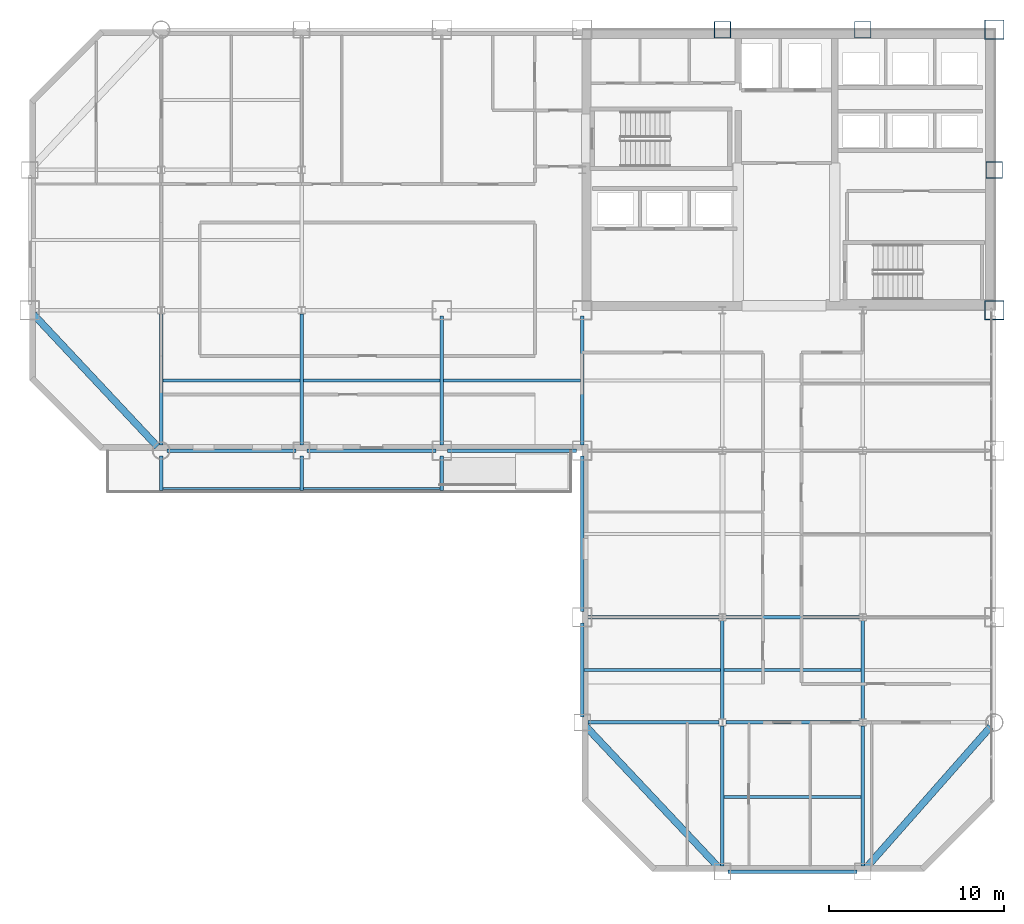
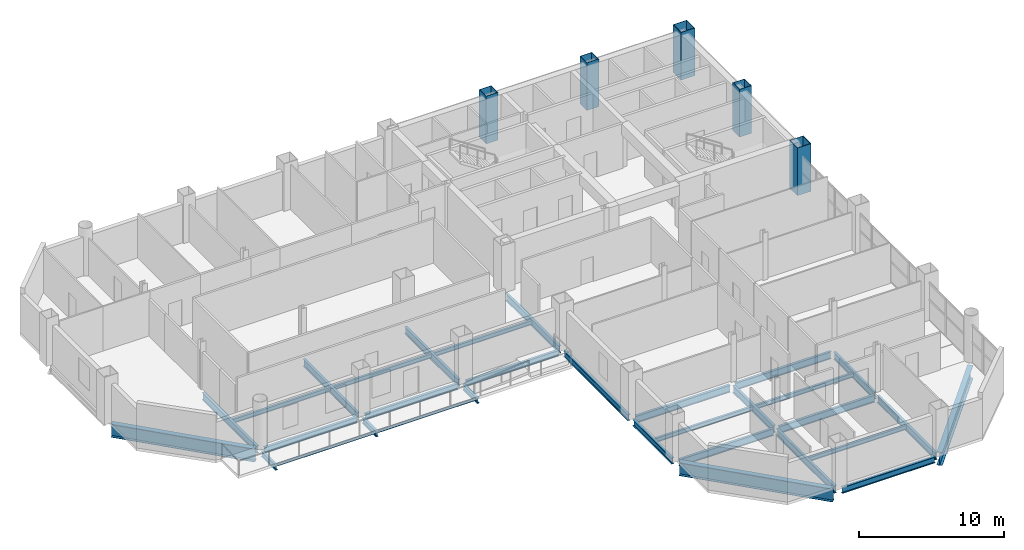
# One storey, part 4 of 16: 32 beams, 5 columns.
"""IFC4 building model written with IfcOpenShell, lengths in metres."""

from ifc_helpers import new_model, si_unit, direction, frame, origin, origin_2d, place, context, subcontext, project, spatial, hollow_rectangle, i_section, extrude, material, material_profile, profile_set, type_object, element, save


model = new_model("IFC4")

# Units and contexts
model_context = context("Model", 3, precision=1e-05, world=origin(), true_north=direction((0.0, 1.0)))
body_context = subcontext(model_context, "Body", "Model", "MODEL_VIEW")
ifc_project = project(units=[si_unit("LENGTHUNIT", "METRE"), si_unit("AREAUNIT", "SQUARE_METRE"), si_unit("VOLUMEUNIT", "CUBIC_METRE"), si_unit("PLANEANGLEUNIT", "RADIAN"), si_unit("MASSUNIT", "GRAM", prefix="KILO")], contexts=[model_context])

# Site, building, storey
site_placement = place(None, origin())
site = spatial("IfcSite", under=ifc_project, at=site_placement, CompositionType="ELEMENT")
building_placement = place(site_placement, origin())
building = spatial("IfcBuilding", under=site, at=building_placement, Name="Qianrong Seaharbour Tower", CompositionType="ELEMENT")
storey_placement = place(building_placement, frame((0.0, 0.0, 123.0)))
storey = spatial("IfcBuildingStorey", under=building, at=storey_placement, Name="L29", CompositionType="ELEMENT", Elevation=123.0)

# Columns
ifc_material_1 = material(Name="Structural steel SN490B", Category="steel")
ifc_material_profile_1 = material_profile(ifc_material_1, hollow_rectangle(XDim=1.10009765625, YDim=1.10009765625, WallThickness=0.0400390625, at=origin_2d()), Name="BOX1100x1100x40")
ifc_profile_set_1 = profile_set([ifc_material_profile_1], Name="Structural steel SN490B")
column_type_1 = type_object("IfcColumnType", Name="COL-CFT-1100", PredefinedType="COLUMN", material=ifc_profile_set_1)
for number, where, z_axis, x_axis, name in (
    (1, (64.0, 36.0, 0.0), (0.0, 0.0, 1.0), (1.0, 0.0, 0.0), "L29 Column MC-3 at G9/GF"),
    (2, (64.0, 52.0, 0.0), (0.0, 0.0, 1.0), (1.0, 0.0, 0.0), "L29 Column MC-3 at G9/GH"),
):
    element("IfcColumn", number, at=place(storey_placement, frame(where, z_axis=z_axis, x_axis=x_axis)), inside=storey, type_object=column_type_1, Name=name, PredefinedType="COLUMN", context=body_context, shape_type="SweptSolid", body=[
        extrude(hollow_rectangle(XDim=1.10009765625, YDim=1.10009765625, WallThickness=0.0400390625, at=origin_2d()), origin(), (0.0, 0.0, 1.0), 4.0),
    ])
ifc_material_profile_2 = material_profile(ifc_material_1, hollow_rectangle(XDim=0.949951171875, YDim=0.949951171875, WallThickness=0.035888671875, at=origin_2d()), Name="BOX950x950x36")
ifc_profile_set_2 = profile_set([ifc_material_profile_2], Name="Structural steel SN490B")
column_type_2 = type_object("IfcColumnType", Name="COL-PER-950", PredefinedType="COLUMN", material=ifc_profile_set_2)
for number, where, z_axis, x_axis, name in (
    (3, (48.5, 52.0, 0.0), (0.0, 0.0, 1.0), (1.0, 0.0, 0.0), "L29 Column PC-2 at G7/GH"),
    (4, (56.5, 52.0, 0.0), (0.0, 0.0, 1.0), (1.0, 0.0, 0.0), "L29 Column PC-2 at G8/GH"),
    (5, (64.0, 44.0, 0.0), (0.0, 0.0, 1.0), (1.0, 0.0, 0.0), "L29 Column PC-2 at G9/GG"),
):
    element("IfcColumn", number, at=place(storey_placement, frame(where, z_axis=z_axis, x_axis=x_axis)), inside=storey, type_object=column_type_2, Name=name, PredefinedType="COLUMN", context=body_context, shape_type="SweptSolid", body=[
        extrude(hollow_rectangle(XDim=0.949951171875, YDim=0.949951171875, WallThickness=0.035888671875, at=origin_2d()), origin(), (0.0, 0.0, 1.0), 4.0),
    ])

# Beams
ifc_material_profile_3 = material_profile(ifc_material_1, i_section(OverallWidth=0.199951171875, OverallDepth=0.60009765625, WebThickness=0.010986328125, FlangeThickness=0.01708984375, FilletRadius=0.02197265625, at=origin_2d()), Name="H600x200x11x17")
ifc_profile_set_3 = profile_set([ifc_material_profile_3], Name="Structural steel SN490B")
beam_type_1 = type_object("IfcBeamType", Name="BM-G-600", PredefinedType="BEAM", material=ifc_profile_set_3)
beam_1_placement = place(storey_placement, frame((40.820068359375, 12.5, -0.534912109375), z_axis=(1.0, 0.0, 0.0), x_axis=(0.0, 1.0, 0.0)))
element("IfcBeam", 6, at=beam_1_placement, inside=storey, type_object=beam_type_1, Name="L29 Primary Girder GC G6-G7", PredefinedType="BEAM", context=body_context, shape_type="SweptSolid", body=[
    extrude(i_section(OverallWidth=0.199951171875, OverallDepth=0.60009765625, WebThickness=0.010986328125, FlangeThickness=0.01708984375, FilletRadius=0.02197265625, at=origin_2d()), origin(), (0.0, 0.0, 1.0), 7.47998046875),
])
beam_2_placement = place(storey_placement, frame((48.699951171875, 12.5, -0.534912109375), z_axis=(1.0, 0.0, 0.0), x_axis=(0.0, 1.0, 0.0)))
element("IfcBeam", 7, at=beam_2_placement, inside=storey, type_object=beam_type_1, Name="L29 Primary Girder GC G7-G8", PredefinedType="BEAM", context=body_context, shape_type="SweptSolid", body=[
    extrude(i_section(OverallWidth=0.199951171875, OverallDepth=0.60009765625, WebThickness=0.010986328125, FlangeThickness=0.01708984375, FilletRadius=0.02197265625, at=origin_2d()), origin(), (0.0, 0.0, 1.0), 7.60009765625),
])
beam_3_placement = place(storey_placement, frame((40.820068359375, 18.5, -0.534912109375), z_axis=(1.0, 0.0, 0.0), x_axis=(0.0, 1.0, 0.0)))
element("IfcBeam", 8, at=beam_3_placement, inside=storey, type_object=beam_type_1, Name="L29 Primary Girder GD G6-G7", PredefinedType="BEAM", context=body_context, shape_type="SweptSolid", body=[
    extrude(i_section(OverallWidth=0.199951171875, OverallDepth=0.60009765625, WebThickness=0.010986328125, FlangeThickness=0.01708984375, FilletRadius=0.02197265625, at=origin_2d()), origin(), (0.0, 0.0, 1.0), 7.47998046875),
])
beam_4_placement = place(storey_placement, frame((48.699951171875, 18.5, -0.534912109375), z_axis=(1.0, 0.0, 0.0), x_axis=(0.0, 1.0, 0.0)))
element("IfcBeam", 9, at=beam_4_placement, inside=storey, type_object=beam_type_1, Name="L29 Primary Girder GD G7-G8", PredefinedType="BEAM", context=body_context, shape_type="SweptSolid", body=[
    extrude(i_section(OverallWidth=0.199951171875, OverallDepth=0.60009765625, WebThickness=0.010986328125, FlangeThickness=0.01708984375, FilletRadius=0.02197265625, at=origin_2d()), origin(), (0.0, 0.0, 1.0), 7.60009765625),
])
for number, where, z_axis, x_axis, name in (
    (10, (16.5, 28.320068359375, -0.534912109375), (0.0, 1.0, 0.0), (-1.0, 0.0, 0.0), "L29 Primary Girder G3 GE-GF"),
    (11, (24.5, 28.320068359375, -0.534912109375), (0.0, 1.0, 0.0), (-1.0, 0.0, 0.0), "L29 Primary Girder G4 GE-GF"),
):
    element("IfcBeam", number, at=place(storey_placement, frame(where, z_axis=z_axis, x_axis=x_axis)), inside=storey, type_object=beam_type_1, Name=name, PredefinedType="BEAM", context=body_context, shape_type="SweptSolid", body=[
        extrude(i_section(OverallWidth=0.199951171875, OverallDepth=0.60009765625, WebThickness=0.010986328125, FlangeThickness=0.01708984375, FilletRadius=0.02197265625, at=origin_2d()), origin(), (0.0, 0.0, 1.0), 7.47998046875),
    ])
for number, where, z_axis, x_axis, name in (
    (12, (32.5, 28.320068359375, -0.534912109375), (0.0, 1.0, 0.0), (-1.0, 0.0, 0.0), "L29 Primary Girder G5 GE-GF"),
    (13, (40.5, 28.320068359375, -0.534912109375), (0.0, 1.0, 0.0), (-1.0, 0.0, 0.0), "L29 Primary Girder G6 GE-GF"),
):
    element("IfcBeam", number, at=place(storey_placement, frame(where, z_axis=z_axis, x_axis=x_axis)), inside=storey, type_object=beam_type_1, Name=name, PredefinedType="BEAM", context=body_context, shape_type="SweptSolid", body=[
        extrude(i_section(OverallWidth=0.199951171875, OverallDepth=0.60009765625, WebThickness=0.010986328125, FlangeThickness=0.01708984375, FilletRadius=0.02197265625, at=origin_2d()), origin(), (0.0, 0.0, 1.0), 7.35986328125),
    ])
beam_5_placement = place(storey_placement, frame((48.5, 4.320068359375, -0.534912109375), z_axis=(0.0, 1.0, 0.0), x_axis=(-1.0, 0.0, 0.0)))
element("IfcBeam", 14, at=beam_5_placement, inside=storey, type_object=beam_type_1, Name="L29 Primary Girder G7 GB-GC", PredefinedType="BEAM", context=body_context, shape_type="SweptSolid", body=[
    extrude(i_section(OverallWidth=0.199951171875, OverallDepth=0.60009765625, WebThickness=0.010986328125, FlangeThickness=0.01708984375, FilletRadius=0.02197265625, at=origin_2d()), origin(), (0.0, 0.0, 1.0), 7.97998046875),
])
beam_6_placement = place(storey_placement, frame((48.5, 12.699951171875, -0.534912109375), z_axis=(0.0, 1.0, 0.0), x_axis=(-1.0, 0.0, 0.0)))
element("IfcBeam", 15, at=beam_6_placement, inside=storey, type_object=beam_type_1, Name="L29 Primary Girder G7 GC-GD", PredefinedType="BEAM", context=body_context, shape_type="SweptSolid", body=[
    extrude(i_section(OverallWidth=0.199951171875, OverallDepth=0.60009765625, WebThickness=0.010986328125, FlangeThickness=0.01708984375, FilletRadius=0.02197265625, at=origin_2d()), origin(), (0.0, 0.0, 1.0), 5.60009765625),
])
beam_7_placement = place(storey_placement, frame((56.5, 4.320068359375, -0.534912109375), z_axis=(0.0, 1.0, 0.0), x_axis=(-1.0, 0.0, 0.0)))
element("IfcBeam", 16, at=beam_7_placement, inside=storey, type_object=beam_type_1, Name="L29 Primary Girder G8 GB-GC", PredefinedType="BEAM", context=body_context, shape_type="SweptSolid", body=[
    extrude(i_section(OverallWidth=0.199951171875, OverallDepth=0.60009765625, WebThickness=0.010986328125, FlangeThickness=0.01708984375, FilletRadius=0.02197265625, at=origin_2d()), origin(), (0.0, 0.0, 1.0), 7.97998046875),
])
beam_8_placement = place(storey_placement, frame((56.5, 12.699951171875, -0.534912109375), z_axis=(0.0, 1.0, 0.0), x_axis=(-1.0, 0.0, 0.0)))
element("IfcBeam", 17, at=beam_8_placement, inside=storey, type_object=beam_type_1, Name="L29 Primary Girder G8 GC-GD", PredefinedType="BEAM", context=body_context, shape_type="SweptSolid", body=[
    extrude(i_section(OverallWidth=0.199951171875, OverallDepth=0.60009765625, WebThickness=0.010986328125, FlangeThickness=0.01708984375, FilletRadius=0.02197265625, at=origin_2d()), origin(), (0.0, 0.0, 1.0), 5.60009765625),
])
ifc_material_2 = material(Name="Structural steel SN400B", Category="steel")
ifc_material_profile_4 = material_profile(ifc_material_2, i_section(OverallWidth=0.175048828125, OverallDepth=0.35009765625, WebThickness=0.007080078125, FlangeThickness=0.010986328125, FilletRadius=0.013916015625, at=origin_2d()), Name="H350x175x7x11")
ifc_profile_set_4 = profile_set([ifc_material_profile_4], Name="Structural steel SN400B")
beam_type_2 = type_object("IfcBeamType", Name="BM-J-350", PredefinedType="JOIST", material=ifc_profile_set_4)
for number, where, z_axis, x_axis, name in (
    (18, (16.60009765625, 32.0, -0.409912109375), (1.0, 0.0, 0.0), (0.0, 1.0, 0.0), "L29 Composite Floor Joist G3-G4/GE-GF"),
    (19, (24.60009765625, 32.0, -0.409912109375), (1.0, 0.0, 0.0), (0.0, 1.0, 0.0), "L29 Composite Floor Joist G4-G5/GE-GF"),
    (20, (32.60009765625, 32.0, -0.409912109375), (1.0, 0.0, 0.0), (0.0, 1.0, 0.0), "L29 Composite Floor Joist G5-G6/GE-GF"),
    (21, (40.60009765625, 15.5, -0.409912109375), (1.0, 0.0, 0.0), (0.0, 1.0, 0.0), "L29 Composite Floor Joist G6-G7/GC-GD"),
    (22, (48.60009765625, 8.25, -0.409912109375), (1.0, 0.0, 0.0), (0.0, 1.0, 0.0), "L29 Composite Floor Joist G7-G8/GB-GC"),
    (23, (48.60009765625, 15.5, -0.409912109375), (1.0, 0.0, 0.0), (0.0, 1.0, 0.0), "L29 Composite Floor Joist G7-G8/GC-GD"),
):
    element("IfcBeam", number, at=place(storey_placement, frame(where, z_axis=z_axis, x_axis=x_axis)), inside=storey, type_object=beam_type_2, Name=name, PredefinedType="JOIST", context=body_context, shape_type="SweptSolid", body=[
        extrude(i_section(OverallWidth=0.175048828125, OverallDepth=0.35009765625, WebThickness=0.007080078125, FlangeThickness=0.010986328125, FilletRadius=0.013916015625, at=origin_2d()), origin(), (0.0, 0.0, 1.0), 7.7998046875),
    ])
ifc_material_profile_5 = material_profile(ifc_material_2, i_section(OverallWidth=0.10009765625, OverallDepth=0.199951171875, WebThickness=0.005615234375, FlangeThickness=0.008056640625, FilletRadius=0.010986328125, at=origin_2d()), Name="H200x100x5.5x8")
ifc_profile_set_5 = profile_set([ifc_material_profile_5], Name="Structural steel SN400B")
beam_type_3 = type_object("IfcBeamType", Name="BM-PURLIN-200", PredefinedType="JOIST", material=ifc_profile_set_5)
for number, where, z_axis, x_axis, name in (
    (24, (16.60009765625, 25.840087890625, -0.3349609375), (1.0, 0.0, 0.0), (0.0, 1.0, 0.0), "L29 Harbourfront Ribbon Edge Beam G4"),
    (25, (24.60009765625, 25.840087890625, -0.3349609375), (1.0, 0.0, 0.0), (0.0, 1.0, 0.0), "L29 Harbourfront Ribbon Edge Beam G5"),
):
    element("IfcBeam", number, at=place(storey_placement, frame(where, z_axis=z_axis, x_axis=x_axis)), inside=storey, type_object=beam_type_3, Name=name, PredefinedType="JOIST", context=body_context, shape_type="SweptSolid", body=[
        extrude(i_section(OverallWidth=0.10009765625, OverallDepth=0.199951171875, WebThickness=0.005615234375, FlangeThickness=0.008056640625, FilletRadius=0.010986328125, at=origin_2d()), origin(), (0.0, 0.0, 1.0), 7.7998046875),
    ])
ifc_material_profile_6 = material_profile(ifc_material_1, i_section(OverallWidth=0.199951171875, OverallDepth=0.449951171875, WebThickness=0.009033203125, FlangeThickness=0.013916015625, FilletRadius=0.01806640625, at=origin_2d()), Name="H450x200x9x14")
ifc_profile_set_6 = profile_set([ifc_material_profile_6], Name="Structural steel SN490B")
beam_type_4 = type_object("IfcBeamType", Name="BM-RIB-450", PredefinedType="BEAM", material=ifc_profile_set_6)
for number, where, z_axis, x_axis, name in (
    (26, (16.5, 27.699951171875, -0.4599609375), (0.0, -1.0, 0.0), (1.0, 0.0, 0.0), "L29 Harbourfront Ribbon Cantilever Bracket G3"),
    (27, (24.5, 27.699951171875, -0.4599609375), (0.0, -1.0, 0.0), (1.0, 0.0, 0.0), "L29 Harbourfront Ribbon Cantilever Bracket G4"),
    (28, (32.5, 27.699951171875, -0.4599609375), (0.0, -1.0, 0.0), (1.0, 0.0, 0.0), "L29 Harbourfront Ribbon Cantilever Bracket G5"),
):
    element("IfcBeam", number, at=place(storey_placement, frame(where, z_axis=z_axis, x_axis=x_axis)), inside=storey, type_object=beam_type_4, Name=name, PredefinedType="BEAM", context=body_context, shape_type="SweptSolid", body=[
        extrude(i_section(OverallWidth=0.199951171875, OverallDepth=0.449951171875, WebThickness=0.009033203125, FlangeThickness=0.013916015625, FilletRadius=0.01806640625, at=origin_2d()), origin(), (0.0, 0.0, 1.0), 1.97998046875),
    ])
ifc_material_profile_7 = material_profile(ifc_material_1, i_section(OverallWidth=0.199951171875, OverallDepth=0.5, WebThickness=0.010009765625, FlangeThickness=0.01611328125, FilletRadius=0.02001953125, at=origin_2d()), Name="H500x200x10x16")
ifc_profile_set_7 = profile_set([ifc_material_profile_7], Name="Structural steel SN490B")
beam_type_5 = type_object("IfcBeamType", Name="BM-SP-500", PredefinedType="SPANDREL", material=ifc_profile_set_7)
for number, where, z_axis, x_axis, name in (
    (29, (48.820068359375, 4.0, -0.485107421875), (1.0, 0.0, 0.0), (0.0, 1.0, 0.0), "L29 Spandrel Girder GB G7-G8"),
    (30, (16.820068359375, 28.0, -0.485107421875), (1.0, 0.0, 0.0), (0.0, 1.0, 0.0), "L29 Spandrel Girder GE G3-G4"),
    (31, (24.820068359375, 28.0, -0.485107421875), (1.0, 0.0, 0.0), (0.0, 1.0, 0.0), "L29 Spandrel Girder GE G4-G5"),
    (32, (32.820068359375, 28.0, -0.485107421875), (1.0, 0.0, 0.0), (0.0, 1.0, 0.0), "L29 Spandrel Girder GE G5-G6"),
):
    element("IfcBeam", number, at=place(storey_placement, frame(where, z_axis=z_axis, x_axis=x_axis)), inside=storey, type_object=beam_type_5, Name=name, PredefinedType="SPANDREL", context=body_context, shape_type="SweptSolid", body=[
        extrude(i_section(OverallWidth=0.199951171875, OverallDepth=0.5, WebThickness=0.010009765625, FlangeThickness=0.01611328125, FilletRadius=0.02001953125, at=origin_2d()), origin(), (0.0, 0.0, 1.0), 7.35986328125),
    ])
beam_9_placement = place(storey_placement, frame((40.5, 12.820068359375, -0.485107421875), z_axis=(0.0, 1.0, 0.0), x_axis=(-1.0, 0.0, 0.0)))
element("IfcBeam", 33, at=beam_9_placement, inside=storey, type_object=beam_type_5, Name="L29 Spandrel Girder G6 GC-GD", PredefinedType="SPANDREL", context=body_context, shape_type="SweptSolid", body=[
    extrude(i_section(OverallWidth=0.199951171875, OverallDepth=0.5, WebThickness=0.010009765625, FlangeThickness=0.01611328125, FilletRadius=0.02001953125, at=origin_2d()), origin(), (0.0, 0.0, 1.0), 5.35986328125),
])
beam_10_placement = place(storey_placement, frame((40.5, 18.820068359375, -0.485107421875), z_axis=(0.0, 1.0, 0.0), x_axis=(-1.0, 0.0, 0.0)))
element("IfcBeam", 34, at=beam_10_placement, inside=storey, type_object=beam_type_5, Name="L29 Spandrel Girder G6 GD-GE", PredefinedType="SPANDREL", context=body_context, shape_type="SweptSolid", body=[
    extrude(i_section(OverallWidth=0.199951171875, OverallDepth=0.5, WebThickness=0.010009765625, FlangeThickness=0.01611328125, FilletRadius=0.02001953125, at=origin_2d()), origin(), (0.0, 0.0, 1.0), 8.85986328125),
])
ifc_material_profile_8 = material_profile(ifc_material_1, i_section(OverallWidth=0.39990234375, OverallDepth=1.10009765625, WebThickness=0.02001953125, FlangeThickness=0.035888671875, at=origin_2d()), Name="BH1100x400x20x36")
ifc_profile_set_8 = profile_set([ifc_material_profile_8], Name="Structural steel SN490B")
beam_type_6 = type_object("IfcBeamType", Name="BM-TG-1100", PredefinedType="BEAM", material=ifc_profile_set_8)
beam_11_placement = place(storey_placement, frame((16.28125, 28.2333984375, -0.784912109375), z_axis=(-0.683947420573, 0.729531305628, 0.0), x_axis=(-0.729531305628, -0.683947420573, 0.0)))
element("IfcBeam", 35, at=beam_11_placement, inside=storey, type_object=beam_type_6, Name="L29 Chamfer Corner Spandrel Girder G2/GE", PredefinedType="BEAM", context=body_context, shape_type="SweptSolid", body=[
    extrude(i_section(OverallWidth=0.39990234375, OverallDepth=1.10009765625, WebThickness=0.02001953125, FlangeThickness=0.035888671875, at=origin_2d()), origin(), (0.0, 0.0, 1.0), 10.326171875),
])
beam_12_placement = place(storey_placement, frame((48.28076171875, 4.23291015625, -0.784912109375), z_axis=(-0.685361938021, 0.728202591256, 0.0), x_axis=(-0.728202591256, -0.685361938021, 0.0)))
element("IfcBeam", 36, at=beam_12_placement, inside=storey, type_object=beam_type_6, Name="L29 Chamfer Corner Spandrel Girder G6/GB", PredefinedType="BEAM", context=body_context, shape_type="SweptSolid", body=[
    extrude(i_section(OverallWidth=0.39990234375, OverallDepth=1.10009765625, WebThickness=0.02001953125, FlangeThickness=0.035888671875, at=origin_2d()), origin(), (0.0, 0.0, 1.0), 11.032958984375),
])
beam_13_placement = place(storey_placement, frame((56.711669921875, 4.239990234375, -0.784912109375), z_axis=(0.661630696334, 0.749829861815, 0.0), x_axis=(-0.749829861815, 0.661630696334, 0.0)))
element("IfcBeam", 37, at=beam_13_placement, inside=storey, type_object=beam_type_6, Name="L29 Chamfer Corner Spandrel Girder G9/GB", PredefinedType="BEAM", context=body_context, shape_type="SweptSolid", body=[
    extrude(i_section(OverallWidth=0.39990234375, OverallDepth=1.10009765625, WebThickness=0.02001953125, FlangeThickness=0.035888671875, at=origin_2d()), origin(), (0.0, 0.0, 1.0), 10.69580078125),
])

save(model, "model.ifc")
